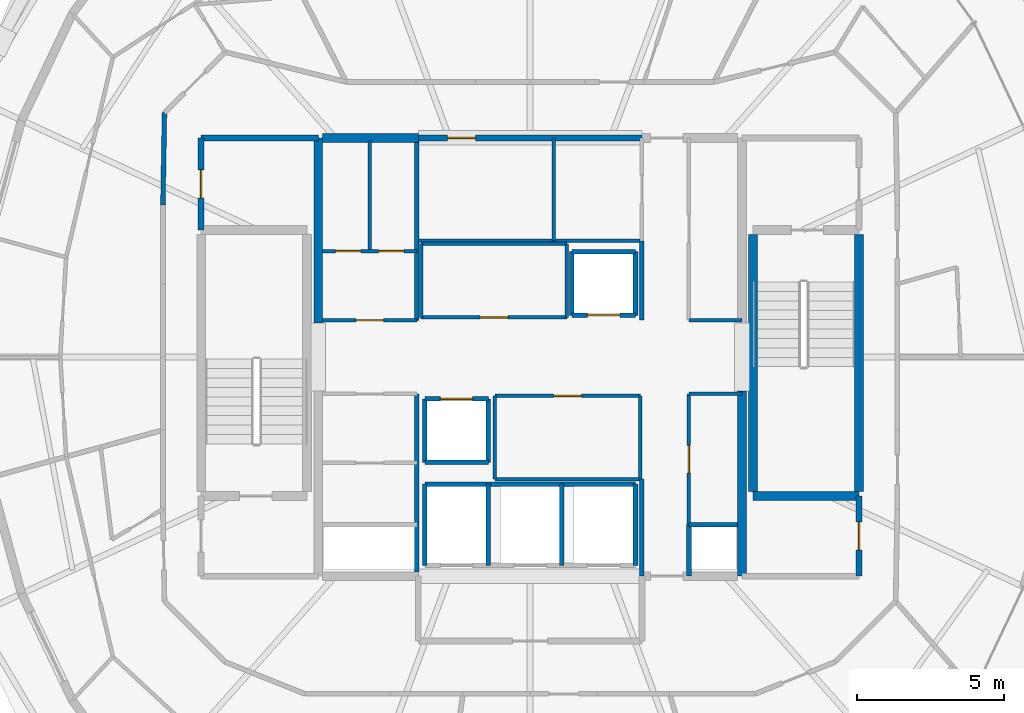
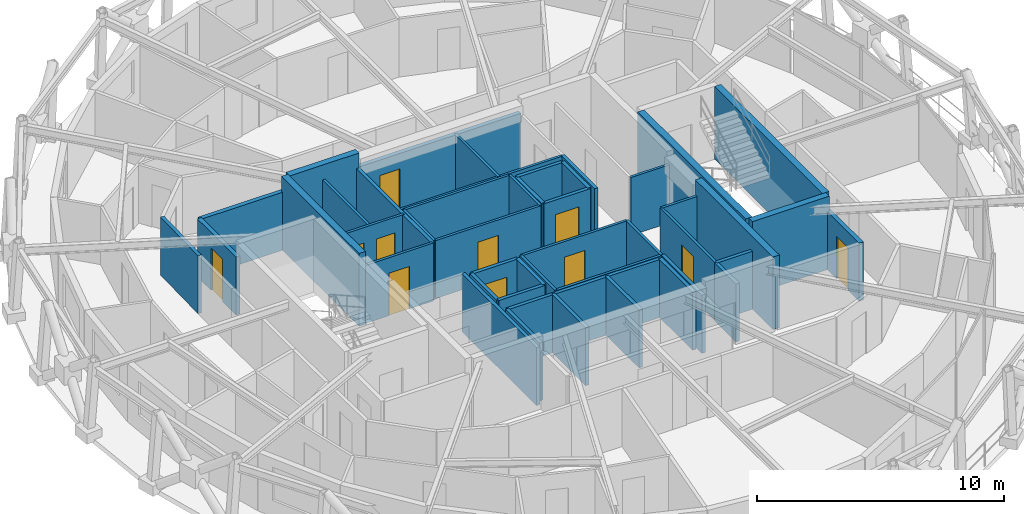
# One storey, part 12 of 16: 46 walls, 11 doors, 11 openings.
"""IFC4 building model written with IfcOpenShell, lengths in metres."""

from ifc_helpers import new_model, si_unit, direction, frame, frame_2d, origin, place, context, subcontext, project, spatial, rectangle, extrude, material, layer, layer_set, type_object, element, fill, save


model = new_model("IFC4")

# Units and contexts
model_context = context("Model", 3, precision=1e-05, world=origin(), true_north=direction((0.0, 1.0)))
body_context = subcontext(model_context, "Body", "Model", "MODEL_VIEW")
ifc_project = project(units=[si_unit("LENGTHUNIT", "METRE"), si_unit("AREAUNIT", "SQUARE_METRE"), si_unit("VOLUMEUNIT", "CUBIC_METRE"), si_unit("PLANEANGLEUNIT", "RADIAN"), si_unit("MASSUNIT", "GRAM", prefix="KILO")], contexts=[model_context])

# Site, building, storey
site_placement = place(None, origin())
site = spatial("IfcSite", under=ifc_project, at=site_placement, CompositionType="ELEMENT")
building_placement = place(site_placement, origin())
building = spatial("IfcBuilding", under=site, at=building_placement, Name="Veldorina Hangang Commons", CompositionType="ELEMENT")
storey_placement = place(building_placement, frame((0.0, 0.0, 279.60009765625)))
storey = spatial("IfcBuildingStorey", under=building, at=storey_placement, Name="L73", CompositionType="ELEMENT", Elevation=279.60009765625)

# Walls
ifc_material_1 = material(Name="Concrete C50/60", Category="concrete")
ifc_layer_1 = layer(ifc_material_1, 0.300048828125)
ifc_layer_set_1 = layer_set([ifc_layer_1], Name="Concrete C50/60")
wall_type_1 = type_object("IfcWallType", Name="CW-RC300-C50", PredefinedType="SHEAR", material=ifc_layer_set_1)
for number, where, z_axis, x_axis, name in (
    (1, (24.800048828125, 25.14990234375, 0.0), (0.0, 0.0, 1.0), (0.0, 1.0, 0.0), "L73 W north core shear wall"),
    (2, (39.199951171875, 16.550048828125, 0.0), (0.0, 0.0, 1.0), (0.0, 1.0, 0.0), "L73 E south core shear wall"),
):
    element("IfcWall", number, at=place(storey_placement, frame(where, z_axis=z_axis, x_axis=x_axis)), inside=storey, type_object=wall_type_1, Name=name, PredefinedType="SHEAR", context=body_context, shape_type="SweptSolid", body=[
        extrude(rectangle(XDim=6.300048828125, YDim=0.300048828125, at=frame_2d((3.14990234375, 0.0))), origin(), (0.0, 0.0, 1.0), 3.599853515625),
    ])
wall_1_placement = place(storey_placement, frame((24.949951171875, 31.449951171875, 0.0), z_axis=(0.0, 0.0, 1.0), x_axis=(1.0, 0.0, 0.0)))
element("IfcWall", 3, at=wall_1_placement, inside=storey, type_object=wall_type_1, Name="L73 north-west core shear wall", PredefinedType="SHEAR", context=body_context, shape_type="SweptSolid", body=[
    extrude(rectangle(XDim=3.25, YDim=0.300048828125, at=frame_2d((1.625, 0.0))), origin(), (0.0, 0.0, 1.0), 3.599853515625),
])
ifc_layer_2 = layer(ifc_material_1, 0.300048828125)
ifc_layer_set_2 = layer_set([ifc_layer_2], Name="Concrete C50/60")
wall_type_2 = type_object("IfcWallType", Name="SW-STAIR-300", PredefinedType="SHEAR", material=ifc_layer_set_2)
for number, where, z_axis, x_axis, name in (
    (4, (43.179931640625, 19.429931640625, 0.0), (0.0, 0.0, 1.0), (0.0, 1.0, 0.0), "L73 ST2 outer stair shear wall"),
    (5, (39.580078125, 19.429931640625, 0.0), (0.0, 0.0, 1.0), (0.0, 1.0, 0.0), "L73 ST2 inner stair shear wall"),
):
    element("IfcWall", number, at=place(storey_placement, frame(where, z_axis=z_axis, x_axis=x_axis)), inside=storey, type_object=wall_type_2, Name=name, PredefinedType="SHEAR", context=body_context, shape_type="SweptSolid", body=[
        extrude(rectangle(XDim=8.739990234375, YDim=0.300048828125, at=frame_2d((4.3701171875, 0.0))), origin(), (0.0, 0.0, 1.0), 3.599853515625),
    ])
wall_2_placement = place(storey_placement, frame((39.580078125, 19.280029296875, 0.0), z_axis=(0.0, 0.0, 1.0), x_axis=(1.0, 0.0, 0.0)))
element("IfcWall", 6, at=wall_2_placement, inside=storey, type_object=wall_type_2, Name="L73 ST2 south stair shear wall", PredefinedType="SHEAR", context=body_context, shape_type="SweptSolid", body=[
    extrude(rectangle(XDim=3.599853515625, YDim=0.300048828125, at=frame_2d((1.7998046875, 0.0))), origin(), (0.0, 0.0, 1.0), 3.599853515625),
])
ifc_material_2 = material(Name="Gypsum Fire-Rated Twin Stud Wall", Category="gypsum")
ifc_layer_3 = layer(ifc_material_2, 0.159912109375)
ifc_layer_set_3 = layer_set([ifc_layer_3], Name="Gypsum Fire-Rated Twin Stud Wall")
wall_type_3 = type_object("IfcWallType", Name="WL-FIRE-160", PredefinedType="SOLIDWALL", material=ifc_layer_set_3)
wall_3_placement = place(storey_placement, frame((35.800048828125, 16.550048828125, 0.0), z_axis=(0.0, 0.0, 1.0), x_axis=(0.0, 1.0, 0.0)))
element("IfcWall", 7, at=wall_3_placement, inside=storey, type_object=wall_type_3, Name="L73 Lift passage SW wall 009", PredefinedType="SOLIDWALL", context=body_context, shape_type="SweptSolid", body=[
    extrude(rectangle(XDim=3.300048828125, YDim=0.159912109375, at=frame_2d((1.64990234375, 0.0))), origin(), (0.0, 0.0, 1.0), 2.869873046875),
])
wall_4_placement = place(storey_placement, frame((37.39990234375, 16.550048828125, 0.0), z_axis=(0.0, 0.0, 1.0), x_axis=(0.0, 1.0, 0.0)))
element("IfcWall", 8, at=wall_4_placement, inside=storey, type_object=wall_type_3, Name="L73 Lift passage SE stub 010", PredefinedType="SOLIDWALL", context=body_context, shape_type="SweptSolid", body=[
    extrude(rectangle(XDim=1.75, YDim=0.159912109375, at=frame_2d((0.875, 0.0))), origin(), (0.0, 0.0, 1.0), 2.869873046875),
])
wall_5_placement = place(storey_placement, frame((35.800048828125, 25.25, 0.0), z_axis=(0.0, 0.0, 1.0), x_axis=(0.0, 1.0, 0.0)))
element("IfcWall", 9, at=wall_5_placement, inside=storey, type_object=wall_type_3, Name="L73 Lift passage NW lower wall 011", PredefinedType="SOLIDWALL", context=body_context, shape_type="SweptSolid", body=[
    extrude(rectangle(XDim=2.699951171875, YDim=0.159912109375, at=frame_2d((1.35009765625, 0.0))), origin(), (0.0, 0.0, 1.0), 2.869873046875),
])

# Wall, opening, door
wall_6_placement = place(storey_placement, frame((33.419921875, 25.419921875, 0.0), z_axis=(0.0, 0.0, 1.0), x_axis=(1.0, 0.0, 0.0)))
wall_6 = element("IfcWall", 10, at=wall_6_placement, inside=storey, type_object=wall_type_3, Name="L73 Mid-high front shaft wall 015", PredefinedType="SOLIDWALL", context=body_context, shape_type="SweptSolid", body=[
    extrude(rectangle(XDim=2.16015625, YDim=0.159912109375, at=frame_2d((1.080078125, 0.0))), origin(), (0.0, 0.0, 1.0), 2.869873046875),
])
opening_1_placement = place(wall_6_placement, frame((0.530029296875, 0.0, 0.0)))
opening_1 = element("IfcOpeningElement", 11, at=opening_1_placement, cuts=wall_6, Name="Opening LD-01", PredefinedType="OPENING", context=body_context, shape_type="SweptSolid", body=[
    extrude(rectangle(XDim=1.10009765625, YDim=2.14990234375, at=frame_2d((0.550048828125, 1.074951171875))), frame((0.0, 0.08984375, 0.0), z_axis=(0.0, -1.0, 0.0), x_axis=(1.0, 0.0, 0.0)), (0.0, 0.0, 1.0), 0.179931640625),
])
ifc_material_3 = material(Name="Stainless Steel Brushed Lift Door", Category="steel")
door_type_1 = type_object("IfcDoorType", Name="DR-LIFT-1100", OperationType="SLIDING_TO_LEFT", PredefinedType="DOOR", material=ifc_material_3)
door_1_placement = place(opening_1_placement, origin())
door_1 = element("IfcDoor", 12, at=door_1_placement, inside=storey, type_object=door_type_1, Name="L73 Lift PL-H1 landing door 006", OperationType="SLIDING_TO_RIGHT", OverallHeight=2.14990234375, OverallWidth=1.10009765625, PredefinedType="DOOR", context=body_context, shape_type="SweptSolid", body=[
    extrude(rectangle(XDim=1.10009765625, YDim=2.14990234375, at=frame_2d((0.550048828125, 1.074951171875))), frame((0.0, 0.02490234375, 0.0), z_axis=(0.0, -1.0, 0.0), x_axis=(1.0, 0.0, 0.0)), (0.0, 0.0, 1.0), 0.050048828125),
])
fill(opening_1, door_1)

# Walls
for number, where, z_axis, x_axis, name in (
    (13, (33.419921875, 27.580078125, 0.0), (0.0, 0.0, 1.0), (1.0, 0.0, 0.0), "L73 Mid-high rear shaft wall 016"),
    (14, (33.419921875, 25.419921875, 0.0), (0.0, 0.0, 1.0), (0.0, 1.0, 0.0), "L73 PL-H1 west shaft wall 017"),
    (15, (35.580078125, 25.419921875, 0.0), (0.0, 0.0, 1.0), (0.0, 1.0, 0.0), "L73 PL-H1 east shaft wall 018"),
):
    element("IfcWall", number, at=place(storey_placement, frame(where, z_axis=z_axis, x_axis=x_axis)), inside=storey, type_object=wall_type_3, Name=name, PredefinedType="SOLIDWALL", context=body_context, shape_type="SweptSolid", body=[
        extrude(rectangle(XDim=2.16015625, YDim=0.159912109375, at=frame_2d((1.080078125, 0.0))), origin(), (0.0, 0.0, 1.0), 2.869873046875),
    ])

# Wall, opening, door
wall_7_placement = place(storey_placement, frame((28.419921875, 22.580078125, 0.0), z_axis=(0.0, 0.0, 1.0), x_axis=(1.0, 0.0, 0.0)))
wall_7 = element("IfcWall", 16, at=wall_7_placement, inside=storey, type_object=wall_type_3, Name="L73 Shuttle-high front shaft wall 019", PredefinedType="SOLIDWALL", context=body_context, shape_type="SweptSolid", body=[
    extrude(rectangle(XDim=2.16015625, YDim=0.159912109375, at=frame_2d((1.080078125, 0.0))), origin(), (0.0, 0.0, 1.0), 2.869873046875),
])
opening_2_placement = place(wall_7_placement, frame((0.530029296875, 0.0, 0.0)))
opening_2 = element("IfcOpeningElement", 17, at=opening_2_placement, cuts=wall_7, Name="Opening LD-01", PredefinedType="OPENING", context=body_context, shape_type="SweptSolid", body=[
    extrude(rectangle(XDim=1.10009765625, YDim=2.14990234375, at=frame_2d((0.550048828125, 1.074951171875))), frame((0.0, 0.08984375, 0.0), z_axis=(0.0, -1.0, 0.0), x_axis=(1.0, 0.0, 0.0)), (0.0, 0.0, 1.0), 0.179931640625),
])
door_2_placement = place(opening_2_placement, origin())
door_2 = element("IfcDoor", 18, at=door_2_placement, inside=storey, type_object=door_type_1, Name="L73 Lift PL-H2 landing door 007", OperationType="SLIDING_TO_LEFT", OverallHeight=2.14990234375, OverallWidth=1.10009765625, PredefinedType="DOOR", context=body_context, shape_type="SweptSolid", body=[
    extrude(rectangle(XDim=1.10009765625, YDim=2.14990234375, at=frame_2d((0.550048828125, 1.074951171875))), frame((0.0, 0.02490234375, 0.0), z_axis=(0.0, -1.0, 0.0), x_axis=(1.0, 0.0, 0.0)), (0.0, 0.0, 1.0), 0.050048828125),
])
fill(opening_2, door_2)

# Walls
for number, where, z_axis, x_axis, name in (
    (19, (28.419921875, 20.419921875, 0.0), (0.0, 0.0, 1.0), (1.0, 0.0, 0.0), "L73 Shuttle-high rear shaft wall 020"),
    (20, (28.419921875, 20.419921875, 0.0), (0.0, 0.0, 1.0), (0.0, 1.0, 0.0), "L73 PL-H2 west shaft wall 021"),
    (21, (30.580078125, 20.419921875, 0.0), (0.0, 0.0, 1.0), (0.0, 1.0, 0.0), "L73 PL-H2 east shaft wall 022"),
):
    element("IfcWall", number, at=place(storey_placement, frame(where, z_axis=z_axis, x_axis=x_axis)), inside=storey, type_object=wall_type_3, Name=name, PredefinedType="SOLIDWALL", context=body_context, shape_type="SweptSolid", body=[
        extrude(rectangle(XDim=2.16015625, YDim=0.159912109375, at=frame_2d((1.080078125, 0.0))), origin(), (0.0, 0.0, 1.0), 2.869873046875),
    ])
wall_8_placement = place(storey_placement, frame((28.419921875, 19.679931640625, 0.0), z_axis=(0.0, 0.0, 1.0), x_axis=(1.0, 0.0, 0.0)))
element("IfcWall", 22, at=wall_8_placement, inside=storey, type_object=wall_type_3, Name="L73 Emergency rear shaft wall 024", PredefinedType="SOLIDWALL", context=body_context, shape_type="SweptSolid", body=[
    extrude(rectangle(XDim=7.16015625, YDim=0.159912109375, at=frame_2d((3.580078125, 0.0))), origin(), (0.0, 0.0, 1.0), 2.869873046875),
])
for number, where, z_axis, x_axis, name in (
    (23, (28.419921875, 16.919921875, 0.0), (0.0, 0.0, 1.0), (0.0, 1.0, 0.0), "L73 FFL-1 west shaft wall 025"),
    (24, (30.580078125, 16.919921875, 0.0), (0.0, 0.0, 1.0), (0.0, 1.0, 0.0), "L73 FFL-1 east shaft wall 026"),
    (25, (33.080078125, 16.919921875, 0.0), (0.0, 0.0, 1.0), (0.0, 1.0, 0.0), "L73 FFL-2 east shaft wall 027"),
    (26, (35.580078125, 16.919921875, 0.0), (0.0, 0.0, 1.0), (0.0, 1.0, 0.0), "L73 EVL-1 east shaft wall 028"),
):
    element("IfcWall", number, at=place(storey_placement, frame(where, z_axis=z_axis, x_axis=x_axis)), inside=storey, type_object=wall_type_3, Name=name, PredefinedType="SOLIDWALL", context=body_context, shape_type="SweptSolid", body=[
        extrude(rectangle(XDim=2.760009765625, YDim=0.159912109375, at=frame_2d((1.3798828125, 0.0))), origin(), (0.0, 0.0, 1.0), 2.869873046875),
    ])
wall_9_placement = place(storey_placement, frame((28.14990234375, 16.699951171875, 0.0), z_axis=(0.0, 0.0, 1.0), x_axis=(0.0, 1.0, 0.0)))
element("IfcWall", 27, at=wall_9_placement, inside=storey, type_object=wall_type_3, Name="L73 SW core inner wall 042", PredefinedType="SOLIDWALL", context=body_context, shape_type="SweptSolid", body=[
    extrude(rectangle(XDim=6.050048828125, YDim=0.159912109375, at=frame_2d((3.02490234375, 0.0))), origin(), (0.0, 0.0, 1.0), 2.869873046875),
])
wall_10_placement = place(storey_placement, frame((37.39990234375, 18.300048828125, 0.0), z_axis=(0.0, 0.0, 1.0), x_axis=(1.0, 0.0, 0.0)))
element("IfcWall", 28, at=wall_10_placement, inside=storey, type_object=wall_type_3, Name="L73 Plumbing riser wall 043", PredefinedType="SOLIDWALL", context=body_context, shape_type="SweptSolid", body=[
    extrude(rectangle(XDim=1.650146484375, YDim=0.159912109375, at=frame_2d((0.8251953125, 0.0))), origin(), (0.0, 0.0, 1.0), 2.869873046875),
])
wall_11_placement = place(storey_placement, frame((28.14990234375, 25.25, 0.0), z_axis=(0.0, 0.0, 1.0), x_axis=(0.0, 1.0, 0.0)))
element("IfcWall", 29, at=wall_11_placement, inside=storey, type_object=wall_type_3, Name="L73 NW core inner wall 044", PredefinedType="SOLIDWALL", context=body_context, shape_type="SweptSolid", body=[
    extrude(rectangle(XDim=6.10009765625, YDim=0.159912109375, at=frame_2d((3.050048828125, 0.0))), origin(), (0.0, 0.0, 1.0), 2.869873046875),
])
wall_12_placement = place(storey_placement, frame((19.5732421875, 32.30322265625, 0.0), z_axis=(0.0, 0.0, 1.0), x_axis=(-0.016981035134, -0.999855811828, 0.0)))
element("IfcWall", 30, at=wall_12_placement, inside=storey, type_object=wall_type_3, Name="L73 Compact collar outer wall 13 067", PredefinedType="SOLIDWALL", context=body_context, shape_type="SweptSolid", body=[
    extrude(rectangle(XDim=3.13427734375, YDim=0.159912109375, at=frame_2d((1.567138671875, 0.0))), origin(), (0.0, 0.0, 1.0), 2.869873046875),
])

# Wall, opening, door
ifc_material_4 = material(Name="Concrete Blockwork Fire Wall C30/37", Category="masonry")
ifc_layer_4 = layer(ifc_material_4, 0.199951171875)
ifc_layer_set_4 = layer_set([ifc_layer_4], Name="Concrete Blockwork Fire Wall C30/37")
wall_type_4 = type_object("IfcWallType", Name="WL-FIRE-200", PredefinedType="SOLIDWALL", material=ifc_layer_set_4)
wall_13_placement = place(storey_placement, frame((20.820068359375, 28.320068359375, 0.0), z_axis=(0.0, 0.0, 1.0), x_axis=(0.0, 1.0, 0.0)))
wall_13 = element("IfcWall", 31, at=wall_13_placement, inside=storey, type_object=wall_type_4, Name="L73 NW core room outer wall 005", PredefinedType="SOLIDWALL", context=body_context, shape_type="SweptSolid", body=[
    extrude(rectangle(XDim=3.1298828125, YDim=0.199951171875, at=frame_2d((1.56494140625, 0.0))), origin(), (0.0, 0.0, 1.0), 2.869873046875),
])
opening_3_placement = place(wall_13_placement, frame((1.090087890625, 0.0, 0.0)))
opening_3 = element("IfcOpeningElement", 32, at=opening_3_placement, cuts=wall_13, Name="Opening D-04", PredefinedType="OPENING", context=body_context, shape_type="SweptSolid", body=[
    extrude(rectangle(XDim=0.949951171875, YDim=2.10009765625, at=frame_2d((0.47509765625, 1.050048828125))), frame((0.0, 0.10986328125, 0.0), z_axis=(0.0, -1.0, 0.0), x_axis=(1.0, 0.0, 0.0)), (0.0, 0.0, 1.0), 0.219970703125),
])
ifc_material_5 = material(Name="Timber Accessible Flush Leaf", Category="wood")
door_type_2 = type_object("IfcDoorType", Name="DR-ACC-950", OperationType="SINGLE_SWING_LEFT", PredefinedType="DOOR", material=ifc_material_5)
door_3_placement = place(opening_3_placement, origin())
door_3 = element("IfcDoor", 33, at=door_3_placement, inside=storey, type_object=door_type_2, Name="L73 NW core WC door 003", OperationType="SINGLE_SWING_LEFT", OverallHeight=2.10009765625, OverallWidth=0.949951171875, PredefinedType="DOOR", context=body_context, shape_type="SweptSolid", body=[
    extrude(rectangle(XDim=0.949951171875, YDim=2.10009765625, at=frame_2d((0.47509765625, 1.050048828125))), frame((0.0, 0.02490234375, 0.0), z_axis=(0.0, -1.0, 0.0), x_axis=(1.0, 0.0, 0.0)), (0.0, 0.0, 1.0), 0.050048828125),
])
fill(opening_3, door_3)

# Wall
wall_14_placement = place(storey_placement, frame((20.820068359375, 31.449951171875, 0.0), z_axis=(0.0, 0.0, 1.0), x_axis=(1.0, 0.0, 0.0)))
element("IfcWall", 34, at=wall_14_placement, inside=storey, type_object=wall_type_4, Name="L73 NW core room north wall 006", PredefinedType="SOLIDWALL", context=body_context, shape_type="SweptSolid", body=[
    extrude(rectangle(XDim=3.97998046875, YDim=0.199951171875, at=frame_2d((1.989990234375, 0.0))), origin(), (0.0, 0.0, 1.0), 2.869873046875),
])

# Wall, opening, door
wall_15_placement = place(storey_placement, frame((43.179931640625, 16.550048828125, 0.0), z_axis=(0.0, 0.0, 1.0), x_axis=(0.0, 1.0, 0.0)))
wall_15 = element("IfcWall", 35, at=wall_15_placement, inside=storey, type_object=wall_type_4, Name="L73 SE core room outer wall 007", PredefinedType="SOLIDWALL", context=body_context, shape_type="SweptSolid", body=[
    extrude(rectangle(XDim=2.72998046875, YDim=0.199951171875, at=frame_2d((1.364990234375, 0.0))), origin(), (0.0, 0.0, 1.0), 2.869873046875),
])
opening_4_placement = place(wall_15_placement, frame((0.889892578125, 0.0, 0.0)))
opening_4 = element("IfcOpeningElement", 36, at=opening_4_placement, cuts=wall_15, Name="Opening D-02", PredefinedType="OPENING", context=body_context, shape_type="SweptSolid", body=[
    extrude(rectangle(XDim=0.949951171875, YDim=2.10009765625, at=frame_2d((0.47509765625, 1.050048828125))), frame((0.0, 0.10986328125, 0.0), z_axis=(0.0, -1.0, 0.0), x_axis=(1.0, 0.0, 0.0)), (0.0, 0.0, 1.0), 0.219970703125),
])
ifc_material_6 = material(Name="Timber Solid Core Acoustic", Category="wood")
door_type_3 = type_object("IfcDoorType", Name="DR-INT-950", OperationType="SINGLE_SWING_LEFT", PredefinedType="DOOR", material=ifc_material_6)
door_4_placement = place(opening_4_placement, origin())
door_4 = element("IfcDoor", 37, at=door_4_placement, inside=storey, type_object=door_type_3, Name="L73 SE core WC door 004", OperationType="SINGLE_SWING_RIGHT", OverallHeight=2.10009765625, OverallWidth=0.949951171875, PredefinedType="DOOR", context=body_context, shape_type="SweptSolid", body=[
    extrude(rectangle(XDim=0.949951171875, YDim=2.10009765625, at=frame_2d((0.47509765625, 1.050048828125))), frame((0.0, 0.02490234375, 0.0), z_axis=(0.0, -1.0, 0.0), x_axis=(1.0, 0.0, 0.0)), (0.0, 0.0, 1.0), 0.050048828125),
])
fill(opening_4, door_4)

wall_16_placement = place(storey_placement, frame((28.199951171875, 31.449951171875, 0.0), z_axis=(0.0, 0.0, 1.0), x_axis=(1.0, 0.0, 0.0)))
wall_16 = element("IfcWall", 38, at=wall_16_placement, inside=storey, type_object=wall_type_4, Name="L73 Merged north core wall 029", PredefinedType="SOLIDWALL", context=body_context, shape_type="SweptSolid", body=[
    extrude(rectangle(XDim=7.60009765625, YDim=0.199951171875, at=frame_2d((3.800048828125, 0.0))), origin(), (0.0, 0.0, 1.0), 2.869873046875),
])
opening_5_placement = place(wall_16_placement, frame((1.0, 0.0, 0.0)))
opening_5 = element("IfcOpeningElement", 39, at=opening_5_placement, cuts=wall_16, Name="Opening D-02", PredefinedType="OPENING", context=body_context, shape_type="SweptSolid", body=[
    extrude(rectangle(XDim=0.949951171875, YDim=2.10009765625, at=frame_2d((0.47509765625, 1.050048828125))), frame((0.0, 0.10986328125, 0.0), z_axis=(0.0, -1.0, 0.0), x_axis=(1.0, 0.0, 0.0)), (0.0, 0.0, 1.0), 0.219970703125),
])
door_5_placement = place(opening_5_placement, origin())
door_5 = element("IfcDoor", 40, at=door_5_placement, inside=storey, type_object=door_type_3, Name="L73 Core study alcove door 011", OperationType="SINGLE_SWING_LEFT", OverallHeight=2.10009765625, OverallWidth=0.949951171875, PredefinedType="DOOR", context=body_context, shape_type="SweptSolid", body=[
    extrude(rectangle(XDim=0.949951171875, YDim=2.10009765625, at=frame_2d((0.47509765625, 1.050048828125))), frame((0.0, 0.02490234375, 0.0), z_axis=(0.0, -1.0, 0.0), x_axis=(1.0, 0.0, 0.0)), (0.0, 0.0, 1.0), 0.050048828125),
])
fill(opening_5, door_5)

# Walls
ifc_material_7 = material(Name="Gypsum Acoustic Stud Partition", Category="gypsum")
ifc_layer_5 = layer(ifc_material_7, 0.1201171875)
ifc_layer_set_5 = layer_set([ifc_layer_5], Name="Gypsum Acoustic Stud Partition")
wall_type_5 = type_object("IfcWallType", Name="WL-PART-120", PredefinedType="PARTITIONING", material=ifc_layer_set_5)
wall_17_placement = place(storey_placement, frame((28.199951171875, 27.949951171875, 0.0), z_axis=(0.0, 0.0, 1.0), x_axis=(1.0, 0.0, 0.0)))
element("IfcWall", 41, at=wall_17_placement, inside=storey, type_object=wall_type_5, Name="L73 Merged north south wall 030", PredefinedType="PARTITIONING", context=body_context, shape_type="SweptSolid", body=[
    extrude(rectangle(XDim=7.60009765625, YDim=0.1201171875, at=frame_2d((3.800048828125, 0.0))), origin(), (0.0, 0.0, 1.0), 2.869873046875),
])
wall_18_placement = place(storey_placement, frame((32.800048828125, 27.949951171875, 0.0), z_axis=(0.0, 0.0, 1.0), x_axis=(0.0, 1.0, 0.0)))
element("IfcWall", 42, at=wall_18_placement, inside=storey, type_object=wall_type_5, Name="L73 Merged north split wall 032", PredefinedType="PARTITIONING", context=body_context, shape_type="SweptSolid", body=[
    extrude(rectangle(XDim=3.5, YDim=0.1201171875, at=frame_2d((1.75, 0.0))), origin(), (0.0, 0.0, 1.0), 2.869873046875),
])

# Wall, opening, door
wall_19_placement = place(storey_placement, frame((28.300048828125, 25.35009765625, 0.0), z_axis=(0.0, 0.0, 1.0), x_axis=(1.0, 0.0, 0.0)))
wall_19 = element("IfcWall", 43, at=wall_19_placement, inside=storey, type_object=wall_type_5, Name="L73 Merged mid-bank south wall 033", PredefinedType="PARTITIONING", context=body_context, shape_type="SweptSolid", body=[
    extrude(rectangle(XDim=4.949951171875, YDim=0.1201171875, at=frame_2d((2.47509765625, 0.0))), origin(), (0.0, 0.0, 1.0), 2.869873046875),
])
opening_6_placement = place(wall_19_placement, frame((2.0, 0.0, 0.0)))
opening_6 = element("IfcOpeningElement", 44, at=opening_6_placement, cuts=wall_19, Name="Opening D-02", PredefinedType="OPENING", context=body_context, shape_type="SweptSolid", body=[
    extrude(rectangle(XDim=0.949951171875, YDim=2.10009765625, at=frame_2d((0.47509765625, 1.050048828125))), frame((0.0, 0.070068359375, 0.0), z_axis=(0.0, -1.0, 0.0), x_axis=(1.0, 0.0, 0.0)), (0.0, 0.0, 1.0), 0.14013671875),
])
door_6_placement = place(opening_6_placement, origin())
door_6 = element("IfcDoor", 45, at=door_6_placement, inside=storey, type_object=door_type_3, Name="L73 Quiet study room door 013", OperationType="SINGLE_SWING_LEFT", OverallHeight=2.10009765625, OverallWidth=0.949951171875, PredefinedType="DOOR", context=body_context, shape_type="SweptSolid", body=[
    extrude(rectangle(XDim=0.949951171875, YDim=2.10009765625, at=frame_2d((0.47509765625, 1.050048828125))), frame((0.0, 0.02490234375, 0.0), z_axis=(0.0, -1.0, 0.0), x_axis=(1.0, 0.0, 0.0)), (0.0, 0.0, 1.0), 0.050048828125),
])
fill(opening_6, door_6)

# Walls
wall_20_placement = place(storey_placement, frame((28.300048828125, 27.85009765625, 0.0), z_axis=(0.0, 0.0, 1.0), x_axis=(1.0, 0.0, 0.0)))
element("IfcWall", 46, at=wall_20_placement, inside=storey, type_object=wall_type_5, Name="L73 Merged mid-bank north wall 034", PredefinedType="PARTITIONING", context=body_context, shape_type="SweptSolid", body=[
    extrude(rectangle(XDim=4.949951171875, YDim=0.1201171875, at=frame_2d((2.47509765625, 0.0))), origin(), (0.0, 0.0, 1.0), 2.869873046875),
])
for number, where, z_axis, x_axis, name in (
    (47, (28.300048828125, 25.35009765625, 0.0), (0.0, 0.0, 1.0), (0.0, 1.0, 0.0), "L73 Merged mid-bank west wall 035"),
    (48, (33.25, 25.35009765625, 0.0), (0.0, 0.0, 1.0), (0.0, 1.0, 0.0), "L73 Merged mid-bank east wall 036"),
):
    element("IfcWall", number, at=place(storey_placement, frame(where, z_axis=z_axis, x_axis=x_axis)), inside=storey, type_object=wall_type_5, Name=name, PredefinedType="PARTITIONING", context=body_context, shape_type="SweptSolid", body=[
        extrude(rectangle(XDim=2.5, YDim=0.1201171875, at=frame_2d((1.25, 0.0))), origin(), (0.0, 0.0, 1.0), 2.869873046875),
    ])

# Wall, opening, door
wall_21_placement = place(storey_placement, frame((30.800048828125, 22.679931640625, 0.0), z_axis=(0.0, 0.0, 1.0), x_axis=(1.0, 0.0, 0.0)))
wall_21 = element("IfcWall", 49, at=wall_21_placement, inside=storey, type_object=wall_type_5, Name="L73 Merged shuttle north wall 037", PredefinedType="PARTITIONING", context=body_context, shape_type="SweptSolid", body=[
    extrude(rectangle(XDim=4.949951171875, YDim=0.1201171875, at=frame_2d((2.47509765625, 0.0))), origin(), (0.0, 0.0, 1.0), 2.869873046875),
])
opening_7_placement = place(wall_21_placement, frame((2.0, 0.0, 0.0)))
opening_7 = element("IfcOpeningElement", 50, at=opening_7_placement, cuts=wall_21, Name="Opening D-02", PredefinedType="OPENING", context=body_context, shape_type="SweptSolid", body=[
    extrude(rectangle(XDim=0.949951171875, YDim=2.10009765625, at=frame_2d((0.47509765625, 1.050048828125))), frame((0.0, 0.070068359375, 0.0), z_axis=(0.0, -1.0, 0.0), x_axis=(1.0, 0.0, 0.0)), (0.0, 0.0, 1.0), 0.14013671875),
])
door_7_placement = place(opening_7_placement, origin())
door_7 = element("IfcDoor", 51, at=door_7_placement, inside=storey, type_object=door_type_3, Name="L73 Floor tea pantry door 014", OperationType="SINGLE_SWING_RIGHT", OverallHeight=2.10009765625, OverallWidth=0.949951171875, PredefinedType="DOOR", context=body_context, shape_type="SweptSolid", body=[
    extrude(rectangle(XDim=0.949951171875, YDim=2.10009765625, at=frame_2d((0.47509765625, 1.050048828125))), frame((0.0, 0.02490234375, 0.0), z_axis=(0.0, -1.0, 0.0), x_axis=(1.0, 0.0, 0.0)), (0.0, 0.0, 1.0), 0.050048828125),
])
fill(opening_7, door_7)

# Walls
wall_22_placement = place(storey_placement, frame((30.800048828125, 19.85009765625, 0.0), z_axis=(0.0, 0.0, 1.0), x_axis=(1.0, 0.0, 0.0)))
element("IfcWall", 52, at=wall_22_placement, inside=storey, type_object=wall_type_5, Name="L73 Merged shuttle south wall 038", PredefinedType="PARTITIONING", context=body_context, shape_type="SweptSolid", body=[
    extrude(rectangle(XDim=4.949951171875, YDim=0.1201171875, at=frame_2d((2.47509765625, 0.0))), origin(), (0.0, 0.0, 1.0), 2.869873046875),
])
for number, where, z_axis, x_axis, name in (
    (53, (30.800048828125, 19.85009765625, 0.0), (0.0, 0.0, 1.0), (0.0, 1.0, 0.0), "L73 Merged shuttle west wall 039"),
    (54, (35.75, 19.85009765625, 0.0), (0.0, 0.0, 1.0), (0.0, 1.0, 0.0), "L73 Merged shuttle east wall 040"),
):
    element("IfcWall", number, at=place(storey_placement, frame(where, z_axis=z_axis, x_axis=x_axis)), inside=storey, type_object=wall_type_5, Name=name, PredefinedType="PARTITIONING", context=body_context, shape_type="SweptSolid", body=[
        extrude(rectangle(XDim=2.829833984375, YDim=0.1201171875, at=frame_2d((1.4150390625, 0.0))), origin(), (0.0, 0.0, 1.0), 2.869873046875),
    ])

# Wall, opening, door
wall_23_placement = place(storey_placement, frame((24.949951171875, 25.25, 0.0), z_axis=(0.0, 0.0, 1.0), x_axis=(1.0, 0.0, 0.0)))
wall_23 = element("IfcWall", 55, at=wall_23_placement, inside=storey, type_object=wall_type_5, Name="L73 NW service south wall 045", PredefinedType="PARTITIONING", context=body_context, shape_type="SweptSolid", body=[
    extrude(rectangle(XDim=3.199951171875, YDim=0.1201171875, at=frame_2d((1.60009765625, 0.0))), origin(), (0.0, 0.0, 1.0), 2.869873046875),
])
opening_8_placement = place(wall_23_placement, frame((1.125, 0.0, 0.0)))
opening_8 = element("IfcOpeningElement", 56, at=opening_8_placement, cuts=wall_23, Name="Opening D-02", PredefinedType="OPENING", context=body_context, shape_type="SweptSolid", body=[
    extrude(rectangle(XDim=0.949951171875, YDim=2.10009765625, at=frame_2d((0.47509765625, 1.050048828125))), frame((0.0, 0.070068359375, 0.0), z_axis=(0.0, -1.0, 0.0), x_axis=(1.0, 0.0, 0.0)), (0.0, 0.0, 1.0), 0.14013671875),
])
door_8_placement = place(opening_8_placement, origin())
door_8 = element("IfcDoor", 57, at=door_8_placement, inside=storey, type_object=door_type_3, Name="L73 Utility vestibule door 015", OperationType="SINGLE_SWING_LEFT", OverallHeight=2.10009765625, OverallWidth=0.949951171875, PredefinedType="DOOR", context=body_context, shape_type="SweptSolid", body=[
    extrude(rectangle(XDim=0.949951171875, YDim=2.10009765625, at=frame_2d((0.47509765625, 1.050048828125))), frame((0.0, 0.02490234375, 0.0), z_axis=(0.0, -1.0, 0.0), x_axis=(1.0, 0.0, 0.0)), (0.0, 0.0, 1.0), 0.050048828125),
])
fill(opening_8, door_8)

# Wall
wall_24_placement = place(storey_placement, frame((37.39990234375, 25.25, 0.0), z_axis=(0.0, 0.0, 1.0), x_axis=(1.0, 0.0, 0.0)))
element("IfcWall", 58, at=wall_24_placement, inside=storey, type_object=wall_type_5, Name="L73 NE strip south return wall 048", PredefinedType="PARTITIONING", context=body_context, shape_type="SweptSolid", body=[
    extrude(rectangle(XDim=1.800048828125, YDim=0.1201171875, at=frame_2d((0.89990234375, 0.0))), origin(), (0.0, 0.0, 1.0), 2.869873046875),
])

# Wall, opening, door
wall_25_placement = place(storey_placement, frame((37.39990234375, 18.300048828125, 0.0), z_axis=(0.0, 0.0, 1.0), x_axis=(0.0, 1.0, 0.0)))
wall_25 = element("IfcWall", 59, at=wall_25_placement, inside=storey, type_object=wall_type_5, Name="L73 SE strip lobby wall 049", PredefinedType="PARTITIONING", context=body_context, shape_type="SweptSolid", body=[
    extrude(rectangle(XDim=4.449951171875, YDim=0.1201171875, at=frame_2d((2.22509765625, 0.0))), origin(), (0.0, 0.0, 1.0), 2.869873046875),
])
opening_9_placement = place(wall_25_placement, frame((1.75, 0.0, 0.0)))
opening_9 = element("IfcOpeningElement", 60, at=opening_9_placement, cuts=wall_25, Name="Opening D-02", PredefinedType="OPENING", context=body_context, shape_type="SweptSolid", body=[
    extrude(rectangle(XDim=0.949951171875, YDim=2.10009765625, at=frame_2d((0.47509765625, 1.050048828125))), frame((0.0, 0.070068359375, 0.0), z_axis=(0.0, -1.0, 0.0), x_axis=(1.0, 0.0, 0.0)), (0.0, 0.0, 1.0), 0.14013671875),
])
door_9_placement = place(opening_9_placement, origin())
door_9 = element("IfcDoor", 61, at=door_9_placement, inside=storey, type_object=door_type_3, Name="L73 Telemetry door 021", OperationType="SINGLE_SWING_LEFT", OverallHeight=2.10009765625, OverallWidth=0.949951171875, PredefinedType="DOOR", context=body_context, shape_type="SweptSolid", body=[
    extrude(rectangle(XDim=0.949951171875, YDim=2.10009765625, at=frame_2d((0.47509765625, 1.050048828125))), frame((0.0, 0.02490234375, 0.0), z_axis=(0.0, -1.0, 0.0), x_axis=(1.0, 0.0, 0.0)), (0.0, 0.0, 1.0), 0.050048828125),
])
fill(opening_9, door_9)

# Wall
wall_26_placement = place(storey_placement, frame((37.39990234375, 22.75, 0.0), z_axis=(0.0, 0.0, 1.0), x_axis=(1.0, 0.0, 0.0)))
element("IfcWall", 62, at=wall_26_placement, inside=storey, type_object=wall_type_5, Name="L73 SE strip north return wall 050", PredefinedType="PARTITIONING", context=body_context, shape_type="SweptSolid", body=[
    extrude(rectangle(XDim=1.800048828125, YDim=0.1201171875, at=frame_2d((0.89990234375, 0.0))), origin(), (0.0, 0.0, 1.0), 2.869873046875),
])

# Wall, openings, doors
wall_27_placement = place(storey_placement, frame((24.949951171875, 27.60009765625, 0.0), z_axis=(0.0, 0.0, 1.0), x_axis=(1.0, 0.0, 0.0)))
wall_27 = element("IfcWall", 63, at=wall_27_placement, inside=storey, type_object=wall_type_5, Name="L73 NW lower split 051", PredefinedType="PARTITIONING", context=body_context, shape_type="SweptSolid", body=[
    extrude(rectangle(XDim=3.199951171875, YDim=0.1201171875, at=frame_2d((1.60009765625, 0.0))), origin(), (0.0, 0.0, 1.0), 2.869873046875),
])
opening_10_placement = place(wall_27_placement, frame((0.43994140625, 0.0, 0.0)))
opening_10 = element("IfcOpeningElement", 64, at=opening_10_placement, cuts=wall_27, Name="Opening D-01", PredefinedType="OPENING", context=body_context, shape_type="SweptSolid", body=[
    extrude(rectangle(XDim=0.860107421875, YDim=2.10009765625, at=frame_2d((0.43017578125, 1.050048828125))), frame((0.0, 0.070068359375, 0.0), z_axis=(0.0, -1.0, 0.0), x_axis=(1.0, 0.0, 0.0)), (0.0, 0.0, 1.0), 0.14013671875),
])
opening_11_placement = place(wall_27_placement, frame((1.89990234375, 0.0, 0.0)))
opening_11 = element("IfcOpeningElement", 65, at=opening_11_placement, cuts=wall_27, Name="Opening D-01", PredefinedType="OPENING", context=body_context, shape_type="SweptSolid", body=[
    extrude(rectangle(XDim=0.860107421875, YDim=2.10009765625, at=frame_2d((0.43017578125, 1.050048828125))), frame((0.0, 0.070068359375, 0.0), z_axis=(0.0, -1.0, 0.0), x_axis=(1.0, 0.0, 0.0)), (0.0, 0.0, 1.0), 0.14013671875),
])
ifc_material_8 = material(Name="Timber Moisture-Resistant Core", Category="wood")
door_type_4 = type_object("IfcDoorType", Name="DR-WET-860", OperationType="SINGLE_SWING_LEFT", PredefinedType="DOOR", material=ifc_material_8)
door_10_placement = place(opening_10_placement, origin())
door_10 = element("IfcDoor", 66, at=door_10_placement, inside=storey, type_object=door_type_4, Name="L73 Store A door 016", OperationType="SINGLE_SWING_RIGHT", OverallHeight=2.10009765625, OverallWidth=0.860107421875, PredefinedType="DOOR", context=body_context, shape_type="SweptSolid", body=[
    extrude(rectangle(XDim=0.860107421875, YDim=2.10009765625, at=frame_2d((0.43017578125, 1.050048828125))), frame((0.0, 0.02490234375, 0.0), z_axis=(0.0, -1.0, 0.0), x_axis=(1.0, 0.0, 0.0)), (0.0, 0.0, 1.0), 0.050048828125),
])
fill(opening_10, door_10)
door_11_placement = place(opening_11_placement, origin())
door_11 = element("IfcDoor", 67, at=door_11_placement, inside=storey, type_object=door_type_4, Name="L73 Store B door 017", OperationType="SINGLE_SWING_LEFT", OverallHeight=2.10009765625, OverallWidth=0.860107421875, PredefinedType="DOOR", context=body_context, shape_type="SweptSolid", body=[
    extrude(rectangle(XDim=0.860107421875, YDim=2.10009765625, at=frame_2d((0.43017578125, 1.050048828125))), frame((0.0, 0.02490234375, 0.0), z_axis=(0.0, -1.0, 0.0), x_axis=(1.0, 0.0, 0.0)), (0.0, 0.0, 1.0), 0.050048828125),
])
fill(opening_11, door_11)

# Wall
wall_28_placement = place(storey_placement, frame((26.550048828125, 27.60009765625, 0.0), z_axis=(0.0, 0.0, 1.0), x_axis=(0.0, 1.0, 0.0)))
element("IfcWall", 68, at=wall_28_placement, inside=storey, type_object=wall_type_5, Name="L73 NW upper vertical split 052", PredefinedType="PARTITIONING", context=body_context, shape_type="SweptSolid", body=[
    extrude(rectangle(XDim=3.75, YDim=0.1201171875, at=frame_2d((1.875, 0.0))), origin(), (0.0, 0.0, 1.0), 2.869873046875),
])

save(model, "model.ifc")
